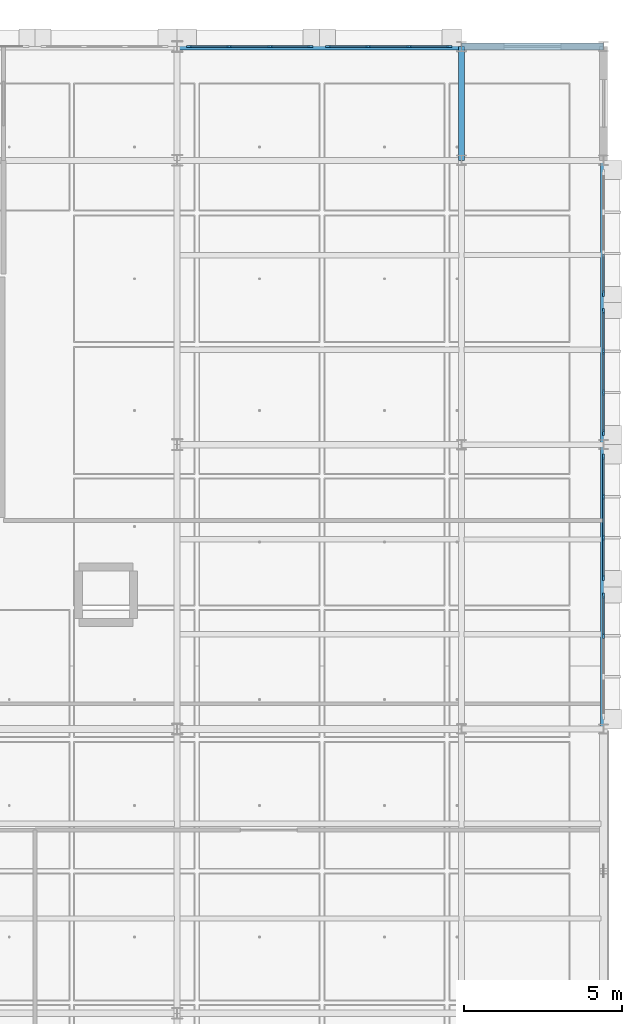
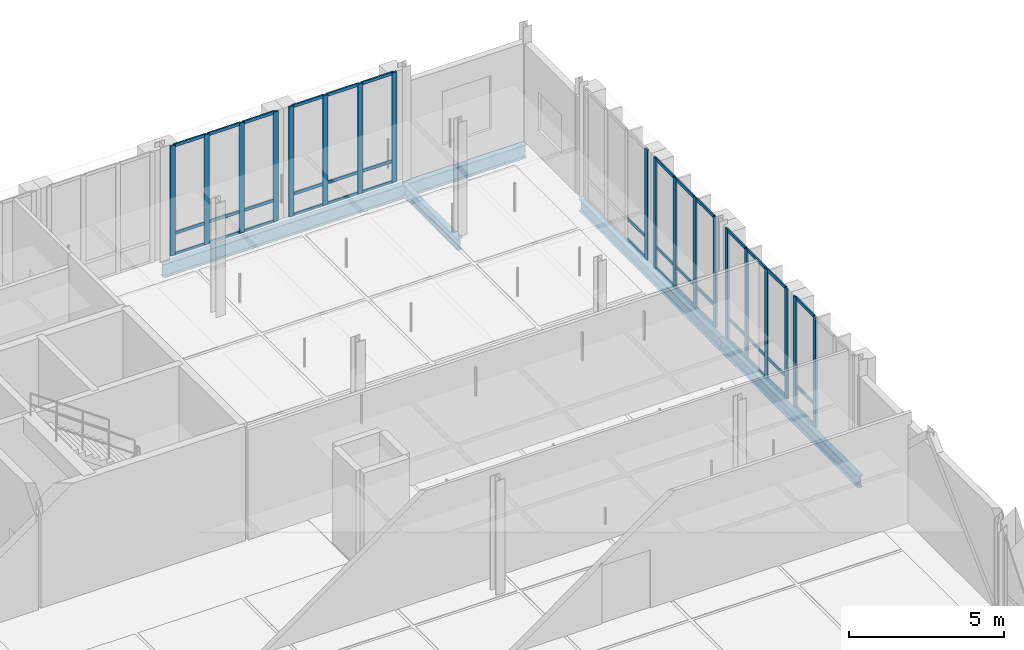
# One storey, part 53 of 130: 60 members, 5 beams, 6 elements without a shape of their own.
"""IFC4 building model written with IfcOpenShell, lengths in metres."""

from ifc_helpers import new_model, si_unit, direction, frame, origin, origin_2d, place, context, subcontext, project, spatial, rectangle, i_section, extrude, material, material_profile, profile_set, type_object, element, aggregate, save


model = new_model("IFC4")

# Units and contexts
model_context = context("Model", 3, precision=1e-05, world=origin(), true_north=direction((0.0, 1.0)))
body_context = subcontext(model_context, "Body", "Model", "MODEL_VIEW")
ifc_project = project(units=[si_unit("LENGTHUNIT", "METRE"), si_unit("AREAUNIT", "SQUARE_METRE"), si_unit("VOLUMEUNIT", "CUBIC_METRE"), si_unit("PLANEANGLEUNIT", "RADIAN"), si_unit("MASSUNIT", "GRAM", prefix="KILO"), si_unit("THERMODYNAMICTEMPERATUREUNIT", "KELVIN"), si_unit("POWERUNIT", "WATT")], contexts=[model_context])

# Site, building, storey
site_placement = place(None, origin())
site = spatial("IfcSite", under=ifc_project, at=site_placement, CompositionType="ELEMENT")
building_placement = place(site_placement, origin())
building = spatial("IfcBuilding", under=site, at=building_placement, Name="Tallowbark Science Centre", CompositionType="ELEMENT")
storey_placement = place(building_placement, frame((0.0, 0.0, 5.39990234375)))
storey = spatial("IfcBuildingStorey", under=building, at=storey_placement, Name="L01", CompositionType="ELEMENT", Elevation=5.39990234375)

# Curtain wall, members
ifc_material_1 = material(Name="Unitised Thermally Broken Aluminium and Low-E Double Glazing", Category="aluminium")
curtain_wall_type = type_object("IfcCurtainWallType", Name="CW-SYS-FACADE", PredefinedType="NOTDEFINED", material=ifc_material_1)
curtain_wall_1_placement = place(storey_placement, origin())
curtain_wall_1 = element("IfcCurtainWall", 1, at=curtain_wall_1_placement, inside=storey, type_object=curtain_wall_type, Name="Unitised Curtain Wall OBS-N-148A CW-L01-130", PredefinedType="NOTDEFINED")
ifc_material_2 = material(Name="Anodised Architectural Aluminium Alloy 6063-T6", Category="aluminium")
ifc_material_profile_1 = material_profile(ifc_material_2, rectangle(XDim=0.06494140625, YDim=0.179931640625, at=origin_2d()), Name="ALU65x180")
ifc_profile_set_1 = profile_set([ifc_material_profile_1], Name="Anodised Architectural Aluminium Alloy 6063-T6")
member_type_1 = type_object("IfcMemberType", Name="CWM-MUL-220", PredefinedType="MULLION", material=ifc_profile_set_1)
member_1_placement = place(storey_placement, frame((157.117431640625, 111.60009765625, 0.0), z_axis=(0.0, 0.0, 1.0), x_axis=(0.0, -1.0, 0.0)))
member_1 = element("IfcMember", 2, at=member_1_placement, type_object=member_type_1, Name="CW-01 mullion 1", PredefinedType="MULLION", context=body_context, shape_type="SweptSolid", body=[
    extrude(rectangle(XDim=0.06494140625, YDim=0.179931640625, at=origin_2d()), origin(), (0.0, 0.0, 1.0), 4.320068359375),
])
member_2_placement = place(storey_placement, frame((155.85009765625, 111.60009765625, 0.0), z_axis=(0.0, 0.0, 1.0), x_axis=(0.0, -1.0, 0.0)))
member_2 = element("IfcMember", 3, at=member_2_placement, type_object=member_type_1, Name="CW-01 mullion 2", PredefinedType="MULLION", context=body_context, shape_type="SweptSolid", body=[
    extrude(rectangle(XDim=0.06494140625, YDim=0.179931640625, at=origin_2d()), origin(), (0.0, 0.0, 1.0), 4.320068359375),
])
member_3_placement = place(storey_placement, frame((154.550048828125, 111.60009765625, 0.0), z_axis=(0.0, 0.0, 1.0), x_axis=(0.0, -1.0, 0.0)))
member_3 = element("IfcMember", 4, at=member_3_placement, type_object=member_type_1, Name="CW-01 mullion 3", PredefinedType="MULLION", context=body_context, shape_type="SweptSolid", body=[
    extrude(rectangle(XDim=0.06494140625, YDim=0.179931640625, at=origin_2d()), origin(), (0.0, 0.0, 1.0), 4.320068359375),
])
member_4_placement = place(storey_placement, frame((153.282470703125, 111.60009765625, 0.0), z_axis=(0.0, 0.0, 1.0), x_axis=(0.0, -1.0, 0.0)))
member_4 = element("IfcMember", 5, at=member_4_placement, type_object=member_type_1, Name="CW-01 mullion 4", PredefinedType="MULLION", context=body_context, shape_type="SweptSolid", body=[
    extrude(rectangle(XDim=0.06494140625, YDim=0.179931640625, at=origin_2d()), origin(), (0.0, 0.0, 1.0), 4.320068359375),
])

curtain_wall_2_placement = place(storey_placement, origin())
curtain_wall_2 = element("IfcCurtainWall", 6, at=curtain_wall_2_placement, inside=storey, type_object=curtain_wall_type, Name="Unitised Curtain Wall OBS-N-148B CW-L01-131", PredefinedType="NOTDEFINED")
member_5_placement = place(storey_placement, frame((152.717529296875, 111.60009765625, 0.0), z_axis=(0.0, 0.0, 1.0), x_axis=(0.0, -1.0, 0.0)))
member_5 = element("IfcMember", 7, at=member_5_placement, type_object=member_type_1, Name="CW-01 mullion 1", PredefinedType="MULLION", context=body_context, shape_type="SweptSolid", body=[
    extrude(rectangle(XDim=0.06494140625, YDim=0.179931640625, at=origin_2d()), origin(), (0.0, 0.0, 1.0), 4.320068359375),
])
member_6_placement = place(storey_placement, frame((151.449951171875, 111.60009765625, 0.0), z_axis=(0.0, 0.0, 1.0), x_axis=(0.0, -1.0, 0.0)))
member_6 = element("IfcMember", 8, at=member_6_placement, type_object=member_type_1, Name="CW-01 mullion 2", PredefinedType="MULLION", context=body_context, shape_type="SweptSolid", body=[
    extrude(rectangle(XDim=0.06494140625, YDim=0.179931640625, at=origin_2d()), origin(), (0.0, 0.0, 1.0), 4.320068359375),
])
member_7_placement = place(storey_placement, frame((150.14990234375, 111.60009765625, 0.0), z_axis=(0.0, 0.0, 1.0), x_axis=(0.0, -1.0, 0.0)))
member_7 = element("IfcMember", 9, at=member_7_placement, type_object=member_type_1, Name="CW-01 mullion 3", PredefinedType="MULLION", context=body_context, shape_type="SweptSolid", body=[
    extrude(rectangle(XDim=0.06494140625, YDim=0.179931640625, at=origin_2d()), origin(), (0.0, 0.0, 1.0), 4.320068359375),
])
member_8_placement = place(storey_placement, frame((148.882568359375, 111.60009765625, 0.0), z_axis=(0.0, 0.0, 1.0), x_axis=(0.0, -1.0, 0.0)))
member_8 = element("IfcMember", 10, at=member_8_placement, type_object=member_type_1, Name="CW-01 mullion 4", PredefinedType="MULLION", context=body_context, shape_type="SweptSolid", body=[
    extrude(rectangle(XDim=0.06494140625, YDim=0.179931640625, at=origin_2d()), origin(), (0.0, 0.0, 1.0), 4.320068359375),
])

curtain_wall_3_placement = place(storey_placement, origin())
curtain_wall_3 = element("IfcCurtainWall", 11, at=curtain_wall_3_placement, inside=storey, type_object=curtain_wall_type, Name="Unitised Curtain Wall OBS-E-90A CW-L01-134", PredefinedType="NOTDEFINED")
member_9_placement = place(storey_placement, frame((162.0, 92.949951171875, 0.0), z_axis=(0.0, 0.0, 1.0), x_axis=(-1.0, 0.0, 0.0)))
member_9 = element("IfcMember", 12, at=member_9_placement, type_object=member_type_1, Name="CW-01 mullion 3", PredefinedType="MULLION", context=body_context, shape_type="SweptSolid", body=[
    extrude(rectangle(XDim=0.06494140625, YDim=0.179931640625, at=origin_2d()), origin(), (0.0, 0.0, 1.0), 4.320068359375),
])
member_10_placement = place(storey_placement, frame((162.0, 94.217529296875, 0.0), z_axis=(0.0, 0.0, 1.0), x_axis=(-1.0, 0.0, 0.0)))
member_10 = element("IfcMember", 13, at=member_10_placement, type_object=member_type_1, Name="CW-01 mullion 4", PredefinedType="MULLION", context=body_context, shape_type="SweptSolid", body=[
    extrude(rectangle(XDim=0.06494140625, YDim=0.179931640625, at=origin_2d()), origin(), (0.0, 0.0, 1.0), 4.320068359375),
])

curtain_wall_4_placement = place(storey_placement, origin())
curtain_wall_4 = element("IfcCurtainWall", 14, at=curtain_wall_4_placement, inside=storey, type_object=curtain_wall_type, Name="Unitised Curtain Wall OBS-E-90B CW-L01-135", PredefinedType="NOTDEFINED")
member_11_placement = place(storey_placement, frame((162.0, 94.782470703125, 0.0), z_axis=(0.0, 0.0, 1.0), x_axis=(-1.0, 0.0, 0.0)))
member_11 = element("IfcMember", 15, at=member_11_placement, type_object=member_type_1, Name="CW-01 mullion 1", PredefinedType="MULLION", context=body_context, shape_type="SweptSolid", body=[
    extrude(rectangle(XDim=0.06494140625, YDim=0.179931640625, at=origin_2d()), origin(), (0.0, 0.0, 1.0), 4.320068359375),
])
member_12_placement = place(storey_placement, frame((162.0, 96.050048828125, 0.0), z_axis=(0.0, 0.0, 1.0), x_axis=(-1.0, 0.0, 0.0)))
member_12 = element("IfcMember", 16, at=member_12_placement, type_object=member_type_1, Name="CW-01 mullion 2", PredefinedType="MULLION", context=body_context, shape_type="SweptSolid", body=[
    extrude(rectangle(XDim=0.06494140625, YDim=0.179931640625, at=origin_2d()), origin(), (0.0, 0.0, 1.0), 4.320068359375),
])
member_13_placement = place(storey_placement, frame((162.0, 97.35009765625, 0.0), z_axis=(0.0, 0.0, 1.0), x_axis=(-1.0, 0.0, 0.0)))
member_13 = element("IfcMember", 17, at=member_13_placement, type_object=member_type_1, Name="CW-01 mullion 3", PredefinedType="MULLION", context=body_context, shape_type="SweptSolid", body=[
    extrude(rectangle(XDim=0.06494140625, YDim=0.179931640625, at=origin_2d()), origin(), (0.0, 0.0, 1.0), 4.320068359375),
])
member_14_placement = place(storey_placement, frame((162.0, 98.617431640625, 0.0), z_axis=(0.0, 0.0, 1.0), x_axis=(-1.0, 0.0, 0.0)))
member_14 = element("IfcMember", 18, at=member_14_placement, type_object=member_type_1, Name="CW-01 mullion 4", PredefinedType="MULLION", context=body_context, shape_type="SweptSolid", body=[
    extrude(rectangle(XDim=0.06494140625, YDim=0.179931640625, at=origin_2d()), origin(), (0.0, 0.0, 1.0), 4.320068359375),
])

curtain_wall_5_placement = place(storey_placement, origin())
curtain_wall_5 = element("IfcCurtainWall", 19, at=curtain_wall_5_placement, inside=storey, type_object=curtain_wall_type, Name="Unitised Curtain Wall OBS-E-99A CW-L01-136", PredefinedType="NOTDEFINED")
member_15_placement = place(storey_placement, frame((162.0, 99.382568359375, 0.0), z_axis=(0.0, 0.0, 1.0), x_axis=(-1.0, 0.0, 0.0)))
member_15 = element("IfcMember", 20, at=member_15_placement, type_object=member_type_1, Name="CW-01 mullion 1", PredefinedType="MULLION", context=body_context, shape_type="SweptSolid", body=[
    extrude(rectangle(XDim=0.06494140625, YDim=0.179931640625, at=origin_2d()), origin(), (0.0, 0.0, 1.0), 4.320068359375),
])
member_16_placement = place(storey_placement, frame((162.0, 100.64990234375, 0.0), z_axis=(0.0, 0.0, 1.0), x_axis=(-1.0, 0.0, 0.0)))
member_16 = element("IfcMember", 21, at=member_16_placement, type_object=member_type_1, Name="CW-01 mullion 2", PredefinedType="MULLION", context=body_context, shape_type="SweptSolid", body=[
    extrude(rectangle(XDim=0.06494140625, YDim=0.179931640625, at=origin_2d()), origin(), (0.0, 0.0, 1.0), 4.320068359375),
])
member_17_placement = place(storey_placement, frame((162.0, 101.949951171875, 0.0), z_axis=(0.0, 0.0, 1.0), x_axis=(-1.0, 0.0, 0.0)))
member_17 = element("IfcMember", 22, at=member_17_placement, type_object=member_type_1, Name="CW-01 mullion 3", PredefinedType="MULLION", context=body_context, shape_type="SweptSolid", body=[
    extrude(rectangle(XDim=0.06494140625, YDim=0.179931640625, at=origin_2d()), origin(), (0.0, 0.0, 1.0), 4.320068359375),
])
member_18_placement = place(storey_placement, frame((162.0, 103.217529296875, 0.0), z_axis=(0.0, 0.0, 1.0), x_axis=(-1.0, 0.0, 0.0)))
member_18 = element("IfcMember", 23, at=member_18_placement, type_object=member_type_1, Name="CW-01 mullion 4", PredefinedType="MULLION", context=body_context, shape_type="SweptSolid", body=[
    extrude(rectangle(XDim=0.06494140625, YDim=0.179931640625, at=origin_2d()), origin(), (0.0, 0.0, 1.0), 4.320068359375),
])

# Curtain wall, member
curtain_wall_6_placement = place(storey_placement, origin())
curtain_wall_6 = element("IfcCurtainWall", 24, at=curtain_wall_6_placement, inside=storey, type_object=curtain_wall_type, Name="Unitised Curtain Wall OBS-E-99B CW-L01-137", PredefinedType="NOTDEFINED")
member_19_placement = place(storey_placement, frame((162.0, 103.782470703125, 0.0), z_axis=(0.0, 0.0, 1.0), x_axis=(-1.0, 0.0, 0.0)))
member_19 = element("IfcMember", 25, at=member_19_placement, type_object=member_type_1, Name="CW-01 mullion 1", PredefinedType="MULLION", context=body_context, shape_type="SweptSolid", body=[
    extrude(rectangle(XDim=0.06494140625, YDim=0.179931640625, at=origin_2d()), origin(), (0.0, 0.0, 1.0), 4.320068359375),
])

# Member
ifc_material_profile_2 = material_profile(ifc_material_2, rectangle(XDim=0.054931640625, YDim=0.1201171875, at=origin_2d()), Name="ALU55x120")
ifc_profile_set_2 = profile_set([ifc_material_profile_2], Name="Anodised Architectural Aluminium Alloy 6063-T6")
member_type_2 = type_object("IfcMemberType", Name="CWM-TRN-150", PredefinedType="USERDEFINED", material=ifc_profile_set_2)
member_20_placement = place(storey_placement, frame((157.0849609375, 111.60009765625, 0.027587890625), z_axis=(-1.0, 0.0, 0.0), x_axis=(0.0, -1.0, 0.0)))
member_20 = element("IfcMember", 26, at=member_20_placement, type_object=member_type_2, Name="CW-01 transom 1.1", ObjectType="TRANSOM", PredefinedType="USERDEFINED", context=body_context, shape_type="SweptSolid", body=[
    extrude(rectangle(XDim=0.054931640625, YDim=0.1201171875, at=origin_2d()), origin(), (0.0, 0.0, 1.0), 1.202392578125),
])

member_21_placement = place(storey_placement, frame((157.0849609375, 111.60009765625, 0.85009765625), z_axis=(-1.0, 0.0, 0.0), x_axis=(0.0, -1.0, 0.0)))
member_21 = element("IfcMember", 27, at=member_21_placement, type_object=member_type_2, Name="CW-01 transom 1.2", ObjectType="TRANSOM", PredefinedType="USERDEFINED", context=body_context, shape_type="SweptSolid", body=[
    extrude(rectangle(XDim=0.054931640625, YDim=0.1201171875, at=origin_2d()), origin(), (0.0, 0.0, 1.0), 1.202392578125),
])

member_22_placement = place(storey_placement, frame((157.0849609375, 111.60009765625, 4.29248046875), z_axis=(-1.0, 0.0, 0.0), x_axis=(0.0, -1.0, 0.0)))
member_22 = element("IfcMember", 28, at=member_22_placement, type_object=member_type_2, Name="CW-01 transom 1.3", ObjectType="TRANSOM", PredefinedType="USERDEFINED", context=body_context, shape_type="SweptSolid", body=[
    extrude(rectangle(XDim=0.054931640625, YDim=0.1201171875, at=origin_2d()), origin(), (0.0, 0.0, 1.0), 1.202392578125),
])

member_23_placement = place(storey_placement, frame((155.8173828125, 111.60009765625, 0.027587890625), z_axis=(-1.0, 0.0, 0.0), x_axis=(0.0, -1.0, 0.0)))
member_23 = element("IfcMember", 29, at=member_23_placement, type_object=member_type_2, Name="CW-01 transom 2.1", ObjectType="TRANSOM", PredefinedType="USERDEFINED", context=body_context, shape_type="SweptSolid", body=[
    extrude(rectangle(XDim=0.054931640625, YDim=0.1201171875, at=origin_2d()), origin(), (0.0, 0.0, 1.0), 1.23486328125),
])

member_24_placement = place(storey_placement, frame((155.8173828125, 111.60009765625, 0.85009765625), z_axis=(-1.0, 0.0, 0.0), x_axis=(0.0, -1.0, 0.0)))
member_24 = element("IfcMember", 30, at=member_24_placement, type_object=member_type_2, Name="CW-01 transom 2.2", ObjectType="TRANSOM", PredefinedType="USERDEFINED", context=body_context, shape_type="SweptSolid", body=[
    extrude(rectangle(XDim=0.054931640625, YDim=0.1201171875, at=origin_2d()), origin(), (0.0, 0.0, 1.0), 1.23486328125),
])

member_25_placement = place(storey_placement, frame((155.8173828125, 111.60009765625, 4.29248046875), z_axis=(-1.0, 0.0, 0.0), x_axis=(0.0, -1.0, 0.0)))
member_25 = element("IfcMember", 31, at=member_25_placement, type_object=member_type_2, Name="CW-01 transom 2.3", ObjectType="TRANSOM", PredefinedType="USERDEFINED", context=body_context, shape_type="SweptSolid", body=[
    extrude(rectangle(XDim=0.054931640625, YDim=0.1201171875, at=origin_2d()), origin(), (0.0, 0.0, 1.0), 1.23486328125),
])

member_26_placement = place(storey_placement, frame((154.517578125, 111.60009765625, 0.027587890625), z_axis=(-1.0, 0.0, 0.0), x_axis=(0.0, -1.0, 0.0)))
member_26 = element("IfcMember", 32, at=member_26_placement, type_object=member_type_2, Name="CW-01 transom 3.1", ObjectType="TRANSOM", PredefinedType="USERDEFINED", context=body_context, shape_type="SweptSolid", body=[
    extrude(rectangle(XDim=0.054931640625, YDim=0.1201171875, at=origin_2d()), origin(), (0.0, 0.0, 1.0), 1.20263671875),
])

member_27_placement = place(storey_placement, frame((154.517578125, 111.60009765625, 0.85009765625), z_axis=(-1.0, 0.0, 0.0), x_axis=(0.0, -1.0, 0.0)))
member_27 = element("IfcMember", 33, at=member_27_placement, type_object=member_type_2, Name="CW-01 transom 3.2", ObjectType="TRANSOM", PredefinedType="USERDEFINED", context=body_context, shape_type="SweptSolid", body=[
    extrude(rectangle(XDim=0.054931640625, YDim=0.1201171875, at=origin_2d()), origin(), (0.0, 0.0, 1.0), 1.20263671875),
])

member_28_placement = place(storey_placement, frame((154.517578125, 111.60009765625, 4.29248046875), z_axis=(-1.0, 0.0, 0.0), x_axis=(0.0, -1.0, 0.0)))
member_28 = element("IfcMember", 34, at=member_28_placement, type_object=member_type_2, Name="CW-01 transom 3.3", ObjectType="TRANSOM", PredefinedType="USERDEFINED", context=body_context, shape_type="SweptSolid", body=[
    extrude(rectangle(XDim=0.054931640625, YDim=0.1201171875, at=origin_2d()), origin(), (0.0, 0.0, 1.0), 1.20263671875),
])

aggregate(curtain_wall_1, [member_1, member_2, member_3, member_4, member_20, member_21, member_22, member_23, member_24, member_25, member_26, member_27, member_28])

member_29_placement = place(storey_placement, frame((152.68505859375, 111.60009765625, 0.027587890625), z_axis=(-1.0, 0.0, 0.0), x_axis=(0.0, -1.0, 0.0)))
member_29 = element("IfcMember", 35, at=member_29_placement, type_object=member_type_2, Name="CW-01 transom 1.1", ObjectType="TRANSOM", PredefinedType="USERDEFINED", context=body_context, shape_type="SweptSolid", body=[
    extrude(rectangle(XDim=0.054931640625, YDim=0.1201171875, at=origin_2d()), origin(), (0.0, 0.0, 1.0), 1.20263671875),
])

member_30_placement = place(storey_placement, frame((152.68505859375, 111.60009765625, 0.85009765625), z_axis=(-1.0, 0.0, 0.0), x_axis=(0.0, -1.0, 0.0)))
member_30 = element("IfcMember", 36, at=member_30_placement, type_object=member_type_2, Name="CW-01 transom 1.2", ObjectType="TRANSOM", PredefinedType="USERDEFINED", context=body_context, shape_type="SweptSolid", body=[
    extrude(rectangle(XDim=0.054931640625, YDim=0.1201171875, at=origin_2d()), origin(), (0.0, 0.0, 1.0), 1.20263671875),
])

member_31_placement = place(storey_placement, frame((152.68505859375, 111.60009765625, 4.29248046875), z_axis=(-1.0, 0.0, 0.0), x_axis=(0.0, -1.0, 0.0)))
member_31 = element("IfcMember", 37, at=member_31_placement, type_object=member_type_2, Name="CW-01 transom 1.3", ObjectType="TRANSOM", PredefinedType="USERDEFINED", context=body_context, shape_type="SweptSolid", body=[
    extrude(rectangle(XDim=0.054931640625, YDim=0.1201171875, at=origin_2d()), origin(), (0.0, 0.0, 1.0), 1.20263671875),
])

member_32_placement = place(storey_placement, frame((151.41748046875, 111.60009765625, 0.027587890625), z_axis=(-1.0, 0.0, 0.0), x_axis=(0.0, -1.0, 0.0)))
member_32 = element("IfcMember", 38, at=member_32_placement, type_object=member_type_2, Name="CW-01 transom 2.1", ObjectType="TRANSOM", PredefinedType="USERDEFINED", context=body_context, shape_type="SweptSolid", body=[
    extrude(rectangle(XDim=0.054931640625, YDim=0.1201171875, at=origin_2d()), origin(), (0.0, 0.0, 1.0), 1.23486328125),
])

member_33_placement = place(storey_placement, frame((151.41748046875, 111.60009765625, 0.85009765625), z_axis=(-1.0, 0.0, 0.0), x_axis=(0.0, -1.0, 0.0)))
member_33 = element("IfcMember", 39, at=member_33_placement, type_object=member_type_2, Name="CW-01 transom 2.2", ObjectType="TRANSOM", PredefinedType="USERDEFINED", context=body_context, shape_type="SweptSolid", body=[
    extrude(rectangle(XDim=0.054931640625, YDim=0.1201171875, at=origin_2d()), origin(), (0.0, 0.0, 1.0), 1.23486328125),
])

member_34_placement = place(storey_placement, frame((151.41748046875, 111.60009765625, 4.29248046875), z_axis=(-1.0, 0.0, 0.0), x_axis=(0.0, -1.0, 0.0)))
member_34 = element("IfcMember", 40, at=member_34_placement, type_object=member_type_2, Name="CW-01 transom 2.3", ObjectType="TRANSOM", PredefinedType="USERDEFINED", context=body_context, shape_type="SweptSolid", body=[
    extrude(rectangle(XDim=0.054931640625, YDim=0.1201171875, at=origin_2d()), origin(), (0.0, 0.0, 1.0), 1.23486328125),
])

member_35_placement = place(storey_placement, frame((150.117431640625, 111.60009765625, 0.027587890625), z_axis=(-1.0, 0.0, 0.0), x_axis=(0.0, -1.0, 0.0)))
member_35 = element("IfcMember", 41, at=member_35_placement, type_object=member_type_2, Name="CW-01 transom 3.1", ObjectType="TRANSOM", PredefinedType="USERDEFINED", context=body_context, shape_type="SweptSolid", body=[
    extrude(rectangle(XDim=0.054931640625, YDim=0.1201171875, at=origin_2d()), origin(), (0.0, 0.0, 1.0), 1.202392578125),
])

member_36_placement = place(storey_placement, frame((150.117431640625, 111.60009765625, 0.85009765625), z_axis=(-1.0, 0.0, 0.0), x_axis=(0.0, -1.0, 0.0)))
member_36 = element("IfcMember", 42, at=member_36_placement, type_object=member_type_2, Name="CW-01 transom 3.2", ObjectType="TRANSOM", PredefinedType="USERDEFINED", context=body_context, shape_type="SweptSolid", body=[
    extrude(rectangle(XDim=0.054931640625, YDim=0.1201171875, at=origin_2d()), origin(), (0.0, 0.0, 1.0), 1.202392578125),
])

member_37_placement = place(storey_placement, frame((150.117431640625, 111.60009765625, 4.29248046875), z_axis=(-1.0, 0.0, 0.0), x_axis=(0.0, -1.0, 0.0)))
member_37 = element("IfcMember", 43, at=member_37_placement, type_object=member_type_2, Name="CW-01 transom 3.3", ObjectType="TRANSOM", PredefinedType="USERDEFINED", context=body_context, shape_type="SweptSolid", body=[
    extrude(rectangle(XDim=0.054931640625, YDim=0.1201171875, at=origin_2d()), origin(), (0.0, 0.0, 1.0), 1.202392578125),
])

aggregate(curtain_wall_2, [member_5, member_6, member_7, member_8, member_29, member_30, member_31, member_32, member_33, member_34, member_35, member_36, member_37])

member_38_placement = place(storey_placement, frame((162.0, 92.982421875, 0.027587890625), z_axis=(0.0, 1.0, 0.0), x_axis=(-1.0, 0.0, 0.0)))
member_38 = element("IfcMember", 44, at=member_38_placement, type_object=member_type_2, Name="CW-01 transom 3.1", ObjectType="TRANSOM", PredefinedType="USERDEFINED", context=body_context, shape_type="SweptSolid", body=[
    extrude(rectangle(XDim=0.054931640625, YDim=0.1201171875, at=origin_2d()), origin(), (0.0, 0.0, 1.0), 1.20263671875),
])

member_39_placement = place(storey_placement, frame((162.0, 92.982421875, 0.85009765625), z_axis=(0.0, 1.0, 0.0), x_axis=(-1.0, 0.0, 0.0)))
member_39 = element("IfcMember", 45, at=member_39_placement, type_object=member_type_2, Name="CW-01 transom 3.2", ObjectType="TRANSOM", PredefinedType="USERDEFINED", context=body_context, shape_type="SweptSolid", body=[
    extrude(rectangle(XDim=0.054931640625, YDim=0.1201171875, at=origin_2d()), origin(), (0.0, 0.0, 1.0), 1.20263671875),
])

member_40_placement = place(storey_placement, frame((162.0, 92.982421875, 4.29248046875), z_axis=(0.0, 1.0, 0.0), x_axis=(-1.0, 0.0, 0.0)))
member_40 = element("IfcMember", 46, at=member_40_placement, type_object=member_type_2, Name="CW-01 transom 3.3", ObjectType="TRANSOM", PredefinedType="USERDEFINED", context=body_context, shape_type="SweptSolid", body=[
    extrude(rectangle(XDim=0.054931640625, YDim=0.1201171875, at=origin_2d()), origin(), (0.0, 0.0, 1.0), 1.20263671875),
])

aggregate(curtain_wall_3, [member_9, member_10, member_38, member_39, member_40])

member_41_placement = place(storey_placement, frame((162.0, 94.81494140625, 0.027587890625), z_axis=(0.0, 1.0, 0.0), x_axis=(-1.0, 0.0, 0.0)))
member_41 = element("IfcMember", 47, at=member_41_placement, type_object=member_type_2, Name="CW-01 transom 1.1", ObjectType="TRANSOM", PredefinedType="USERDEFINED", context=body_context, shape_type="SweptSolid", body=[
    extrude(rectangle(XDim=0.054931640625, YDim=0.1201171875, at=origin_2d()), origin(), (0.0, 0.0, 1.0), 1.20263671875),
])

member_42_placement = place(storey_placement, frame((162.0, 94.81494140625, 0.85009765625), z_axis=(0.0, 1.0, 0.0), x_axis=(-1.0, 0.0, 0.0)))
member_42 = element("IfcMember", 48, at=member_42_placement, type_object=member_type_2, Name="CW-01 transom 1.2", ObjectType="TRANSOM", PredefinedType="USERDEFINED", context=body_context, shape_type="SweptSolid", body=[
    extrude(rectangle(XDim=0.054931640625, YDim=0.1201171875, at=origin_2d()), origin(), (0.0, 0.0, 1.0), 1.20263671875),
])

member_43_placement = place(storey_placement, frame((162.0, 94.81494140625, 4.29248046875), z_axis=(0.0, 1.0, 0.0), x_axis=(-1.0, 0.0, 0.0)))
member_43 = element("IfcMember", 49, at=member_43_placement, type_object=member_type_2, Name="CW-01 transom 1.3", ObjectType="TRANSOM", PredefinedType="USERDEFINED", context=body_context, shape_type="SweptSolid", body=[
    extrude(rectangle(XDim=0.054931640625, YDim=0.1201171875, at=origin_2d()), origin(), (0.0, 0.0, 1.0), 1.20263671875),
])

member_44_placement = place(storey_placement, frame((162.0, 96.08251953125, 0.027587890625), z_axis=(0.0, 1.0, 0.0), x_axis=(-1.0, 0.0, 0.0)))
member_44 = element("IfcMember", 50, at=member_44_placement, type_object=member_type_2, Name="CW-01 transom 2.1", ObjectType="TRANSOM", PredefinedType="USERDEFINED", context=body_context, shape_type="SweptSolid", body=[
    extrude(rectangle(XDim=0.054931640625, YDim=0.1201171875, at=origin_2d()), origin(), (0.0, 0.0, 1.0), 1.23486328125),
])

member_45_placement = place(storey_placement, frame((162.0, 96.08251953125, 0.85009765625), z_axis=(0.0, 1.0, 0.0), x_axis=(-1.0, 0.0, 0.0)))
member_45 = element("IfcMember", 51, at=member_45_placement, type_object=member_type_2, Name="CW-01 transom 2.2", ObjectType="TRANSOM", PredefinedType="USERDEFINED", context=body_context, shape_type="SweptSolid", body=[
    extrude(rectangle(XDim=0.054931640625, YDim=0.1201171875, at=origin_2d()), origin(), (0.0, 0.0, 1.0), 1.23486328125),
])

member_46_placement = place(storey_placement, frame((162.0, 96.08251953125, 4.29248046875), z_axis=(0.0, 1.0, 0.0), x_axis=(-1.0, 0.0, 0.0)))
member_46 = element("IfcMember", 52, at=member_46_placement, type_object=member_type_2, Name="CW-01 transom 2.3", ObjectType="TRANSOM", PredefinedType="USERDEFINED", context=body_context, shape_type="SweptSolid", body=[
    extrude(rectangle(XDim=0.054931640625, YDim=0.1201171875, at=origin_2d()), origin(), (0.0, 0.0, 1.0), 1.23486328125),
])

member_47_placement = place(storey_placement, frame((162.0, 97.382568359375, 0.027587890625), z_axis=(0.0, 1.0, 0.0), x_axis=(-1.0, 0.0, 0.0)))
member_47 = element("IfcMember", 53, at=member_47_placement, type_object=member_type_2, Name="CW-01 transom 3.1", ObjectType="TRANSOM", PredefinedType="USERDEFINED", context=body_context, shape_type="SweptSolid", body=[
    extrude(rectangle(XDim=0.054931640625, YDim=0.1201171875, at=origin_2d()), origin(), (0.0, 0.0, 1.0), 1.202392578125),
])

member_48_placement = place(storey_placement, frame((162.0, 97.382568359375, 0.85009765625), z_axis=(0.0, 1.0, 0.0), x_axis=(-1.0, 0.0, 0.0)))
member_48 = element("IfcMember", 54, at=member_48_placement, type_object=member_type_2, Name="CW-01 transom 3.2", ObjectType="TRANSOM", PredefinedType="USERDEFINED", context=body_context, shape_type="SweptSolid", body=[
    extrude(rectangle(XDim=0.054931640625, YDim=0.1201171875, at=origin_2d()), origin(), (0.0, 0.0, 1.0), 1.202392578125),
])

member_49_placement = place(storey_placement, frame((162.0, 97.382568359375, 4.29248046875), z_axis=(0.0, 1.0, 0.0), x_axis=(-1.0, 0.0, 0.0)))
member_49 = element("IfcMember", 55, at=member_49_placement, type_object=member_type_2, Name="CW-01 transom 3.3", ObjectType="TRANSOM", PredefinedType="USERDEFINED", context=body_context, shape_type="SweptSolid", body=[
    extrude(rectangle(XDim=0.054931640625, YDim=0.1201171875, at=origin_2d()), origin(), (0.0, 0.0, 1.0), 1.202392578125),
])

aggregate(curtain_wall_4, [member_11, member_12, member_13, member_14, member_41, member_42, member_43, member_44, member_45, member_46, member_47, member_48, member_49])

member_50_placement = place(storey_placement, frame((162.0, 99.4150390625, 0.027587890625), z_axis=(0.0, 1.0, 0.0), x_axis=(-1.0, 0.0, 0.0)))
member_50 = element("IfcMember", 56, at=member_50_placement, type_object=member_type_2, Name="CW-01 transom 1.1", ObjectType="TRANSOM", PredefinedType="USERDEFINED", context=body_context, shape_type="SweptSolid", body=[
    extrude(rectangle(XDim=0.054931640625, YDim=0.1201171875, at=origin_2d()), origin(), (0.0, 0.0, 1.0), 1.202392578125),
])

member_51_placement = place(storey_placement, frame((162.0, 99.4150390625, 0.85009765625), z_axis=(0.0, 1.0, 0.0), x_axis=(-1.0, 0.0, 0.0)))
member_51 = element("IfcMember", 57, at=member_51_placement, type_object=member_type_2, Name="CW-01 transom 1.2", ObjectType="TRANSOM", PredefinedType="USERDEFINED", context=body_context, shape_type="SweptSolid", body=[
    extrude(rectangle(XDim=0.054931640625, YDim=0.1201171875, at=origin_2d()), origin(), (0.0, 0.0, 1.0), 1.202392578125),
])

member_52_placement = place(storey_placement, frame((162.0, 99.4150390625, 4.29248046875), z_axis=(0.0, 1.0, 0.0), x_axis=(-1.0, 0.0, 0.0)))
member_52 = element("IfcMember", 58, at=member_52_placement, type_object=member_type_2, Name="CW-01 transom 1.3", ObjectType="TRANSOM", PredefinedType="USERDEFINED", context=body_context, shape_type="SweptSolid", body=[
    extrude(rectangle(XDim=0.054931640625, YDim=0.1201171875, at=origin_2d()), origin(), (0.0, 0.0, 1.0), 1.202392578125),
])

member_53_placement = place(storey_placement, frame((162.0, 100.6826171875, 0.027587890625), z_axis=(0.0, 1.0, 0.0), x_axis=(-1.0, 0.0, 0.0)))
member_53 = element("IfcMember", 59, at=member_53_placement, type_object=member_type_2, Name="CW-01 transom 2.1", ObjectType="TRANSOM", PredefinedType="USERDEFINED", context=body_context, shape_type="SweptSolid", body=[
    extrude(rectangle(XDim=0.054931640625, YDim=0.1201171875, at=origin_2d()), origin(), (0.0, 0.0, 1.0), 1.23486328125),
])

member_54_placement = place(storey_placement, frame((162.0, 100.6826171875, 0.85009765625), z_axis=(0.0, 1.0, 0.0), x_axis=(-1.0, 0.0, 0.0)))
member_54 = element("IfcMember", 60, at=member_54_placement, type_object=member_type_2, Name="CW-01 transom 2.2", ObjectType="TRANSOM", PredefinedType="USERDEFINED", context=body_context, shape_type="SweptSolid", body=[
    extrude(rectangle(XDim=0.054931640625, YDim=0.1201171875, at=origin_2d()), origin(), (0.0, 0.0, 1.0), 1.23486328125),
])

member_55_placement = place(storey_placement, frame((162.0, 100.6826171875, 4.29248046875), z_axis=(0.0, 1.0, 0.0), x_axis=(-1.0, 0.0, 0.0)))
member_55 = element("IfcMember", 61, at=member_55_placement, type_object=member_type_2, Name="CW-01 transom 2.3", ObjectType="TRANSOM", PredefinedType="USERDEFINED", context=body_context, shape_type="SweptSolid", body=[
    extrude(rectangle(XDim=0.054931640625, YDim=0.1201171875, at=origin_2d()), origin(), (0.0, 0.0, 1.0), 1.23486328125),
])

member_56_placement = place(storey_placement, frame((162.0, 101.982421875, 0.027587890625), z_axis=(0.0, 1.0, 0.0), x_axis=(-1.0, 0.0, 0.0)))
member_56 = element("IfcMember", 62, at=member_56_placement, type_object=member_type_2, Name="CW-01 transom 3.1", ObjectType="TRANSOM", PredefinedType="USERDEFINED", context=body_context, shape_type="SweptSolid", body=[
    extrude(rectangle(XDim=0.054931640625, YDim=0.1201171875, at=origin_2d()), origin(), (0.0, 0.0, 1.0), 1.20263671875),
])

member_57_placement = place(storey_placement, frame((162.0, 101.982421875, 0.85009765625), z_axis=(0.0, 1.0, 0.0), x_axis=(-1.0, 0.0, 0.0)))
member_57 = element("IfcMember", 63, at=member_57_placement, type_object=member_type_2, Name="CW-01 transom 3.2", ObjectType="TRANSOM", PredefinedType="USERDEFINED", context=body_context, shape_type="SweptSolid", body=[
    extrude(rectangle(XDim=0.054931640625, YDim=0.1201171875, at=origin_2d()), origin(), (0.0, 0.0, 1.0), 1.20263671875),
])

member_58_placement = place(storey_placement, frame((162.0, 101.982421875, 4.29248046875), z_axis=(0.0, 1.0, 0.0), x_axis=(-1.0, 0.0, 0.0)))
member_58 = element("IfcMember", 64, at=member_58_placement, type_object=member_type_2, Name="CW-01 transom 3.3", ObjectType="TRANSOM", PredefinedType="USERDEFINED", context=body_context, shape_type="SweptSolid", body=[
    extrude(rectangle(XDim=0.054931640625, YDim=0.1201171875, at=origin_2d()), origin(), (0.0, 0.0, 1.0), 1.20263671875),
])

aggregate(curtain_wall_5, [member_15, member_16, member_17, member_18, member_50, member_51, member_52, member_53, member_54, member_55, member_56, member_57, member_58])

member_59_placement = place(storey_placement, frame((162.0, 103.81494140625, 0.027587890625), z_axis=(0.0, 1.0, 0.0), x_axis=(-1.0, 0.0, 0.0)))
member_59 = element("IfcMember", 65, at=member_59_placement, type_object=member_type_2, Name="CW-01 transom 1.1", ObjectType="TRANSOM", PredefinedType="USERDEFINED", context=body_context, shape_type="SweptSolid", body=[
    extrude(rectangle(XDim=0.054931640625, YDim=0.1201171875, at=origin_2d()), origin(), (0.0, 0.0, 1.0), 1.20263671875),
])

member_60_placement = place(storey_placement, frame((162.0, 103.81494140625, 0.85009765625), z_axis=(0.0, 1.0, 0.0), x_axis=(-1.0, 0.0, 0.0)))
member_60 = element("IfcMember", 66, at=member_60_placement, type_object=member_type_2, Name="CW-01 transom 1.2", ObjectType="TRANSOM", PredefinedType="USERDEFINED", context=body_context, shape_type="SweptSolid", body=[
    extrude(rectangle(XDim=0.054931640625, YDim=0.1201171875, at=origin_2d()), origin(), (0.0, 0.0, 1.0), 1.20263671875),
])

aggregate(curtain_wall_6, [member_19, member_59, member_60])

# Beams
ifc_material_3 = material(Name="Structural Steel Grade 300PLUS (300 MPa)", Category="steel")
ifc_material_profile_3 = material_profile(ifc_material_3, i_section(OverallWidth=0.208984375, OverallDepth=0.532958984375, WebThickness=0.01025390625, FlangeThickness=0.015625, FilletRadius=0.013916015625, at=origin_2d()), Name="530UB92.4")
ifc_profile_set_3 = profile_set([ifc_material_profile_3], Name="Structural Steel Grade 300PLUS (300 MPa)")
beam_type_1 = type_object("IfcBeamType", Name="LNT-UB530", PredefinedType="LINTEL", material=ifc_profile_set_3)
beam_1_placement = place(storey_placement, frame((148.5, 111.60009765625, -0.4462890625), z_axis=(1.0, 0.0, 0.0), x_axis=(0.0, 1.0, 0.0)))
element("IfcBeam", 67, at=beam_1_placement, inside=storey, type_object=beam_type_1, Name="Primary Girder GRDX-L01-1485-1575-1116", PredefinedType="LINTEL", context=body_context, shape_type="SweptSolid", body=[
    extrude(i_section(OverallWidth=0.208984375, OverallDepth=0.532958984375, WebThickness=0.01025390625, FlangeThickness=0.015625, FilletRadius=0.013916015625, at=origin_2d()), origin(), (0.0, 0.0, 1.0), 9.0),
])
beam_2_placement = place(storey_placement, frame((157.5, 111.60009765625, -0.4462890625), z_axis=(1.0, 0.0, 0.0), x_axis=(0.0, 1.0, 0.0)))
element("IfcBeam", 68, at=beam_2_placement, inside=storey, type_object=beam_type_1, Name="Primary Girder GRDX-L01-1575-1620-1116", PredefinedType="LINTEL", context=body_context, shape_type="SweptSolid", body=[
    extrude(i_section(OverallWidth=0.208984375, OverallDepth=0.532958984375, WebThickness=0.01025390625, FlangeThickness=0.015625, FilletRadius=0.013916015625, at=origin_2d()), origin(), (0.0, 0.0, 1.0), 4.5),
])
ifc_material_profile_4 = material_profile(ifc_material_3, i_section(OverallWidth=0.18994140625, OverallDepth=0.453857421875, WebThickness=0.008544921875, FlangeThickness=0.0126953125, FilletRadius=0.011474609375, at=origin_2d()), Name="460UB67.1")
ifc_profile_set_4 = profile_set([ifc_material_profile_4], Name="Structural Steel Grade 300PLUS (300 MPa)")
beam_type_2 = type_object("IfcBeamType", Name="SPN-UB460", PredefinedType="SPANDREL", material=ifc_profile_set_4)
beam_3_placement = place(storey_placement, frame((157.5, 108.0, -0.40673828125), z_axis=(0.0, 1.0, 0.0), x_axis=(-1.0, 0.0, 0.0)))
element("IfcBeam", 69, at=beam_3_placement, inside=storey, type_object=beam_type_2, Name="Primary Girder GRDY-L01-1575-1080-1116", PredefinedType="SPANDREL", context=body_context, shape_type="SweptSolid", body=[
    extrude(i_section(OverallWidth=0.18994140625, OverallDepth=0.453857421875, WebThickness=0.008544921875, FlangeThickness=0.0126953125, FilletRadius=0.011474609375, at=origin_2d()), origin(), (0.0, 0.0, 1.0), 3.60009765625),
])
for number, where, z_axis, x_axis, name in (
    (70, (162.0, 90.0, -0.40673828125), (0.0, 1.0, 0.0), (-1.0, 0.0, 0.0), "Primary Girder GRDY-L01-1620-900-990"),
    (71, (162.0, 99.0, -0.40673828125), (0.0, 1.0, 0.0), (-1.0, 0.0, 0.0), "Primary Girder GRDY-L01-1620-990-1080"),
):
    element("IfcBeam", number, at=place(storey_placement, frame(where, z_axis=z_axis, x_axis=x_axis)), inside=storey, type_object=beam_type_2, Name=name, PredefinedType="SPANDREL", context=body_context, shape_type="SweptSolid", body=[
        extrude(i_section(OverallWidth=0.18994140625, OverallDepth=0.453857421875, WebThickness=0.008544921875, FlangeThickness=0.0126953125, FilletRadius=0.011474609375, at=origin_2d()), origin(), (0.0, 0.0, 1.0), 9.0),
    ])

save(model, "model.ifc")
